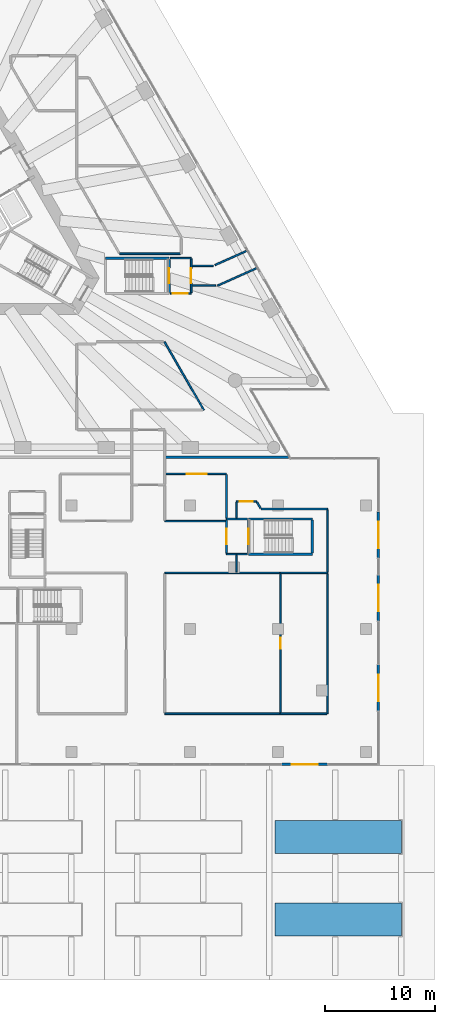
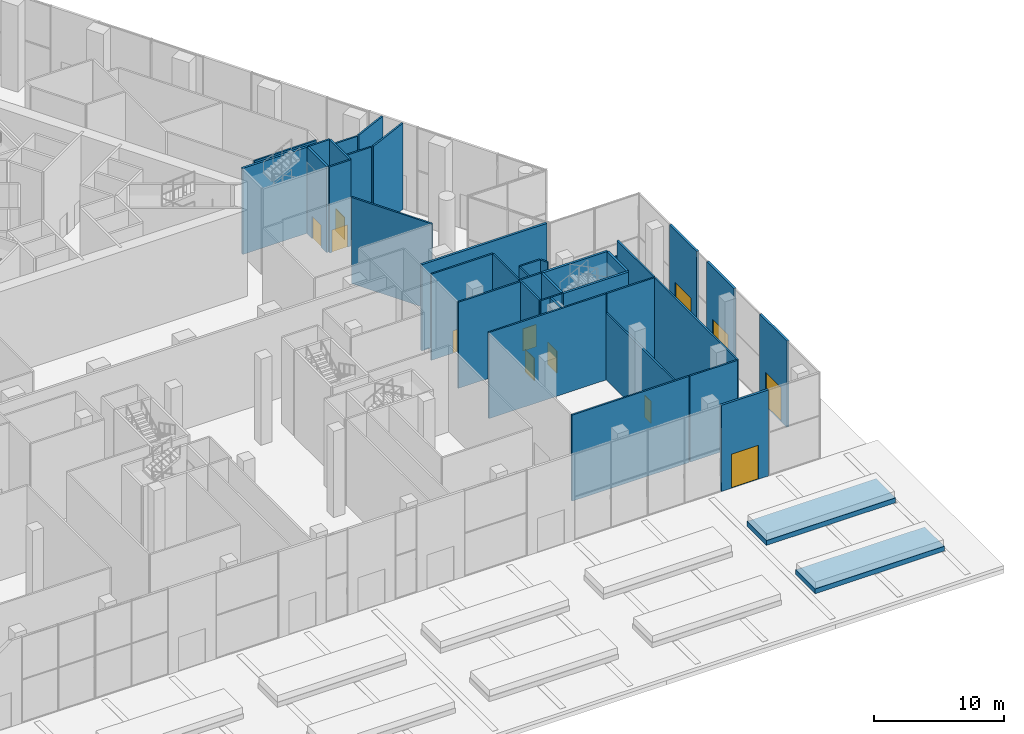
# One storey, part 24 of 41: 40 walls, 12 doors, 12 openings.
"""IFC4 building model written with IfcOpenShell, lengths in metres."""

from ifc_helpers import new_model, si_unit, direction, frame, frame_2d, origin, place, context, subcontext, project, spatial, rectangle, extrude, material, layer, layer_set, layer_usage, type_object, element, fill, save


model = new_model("IFC4")

# Units and contexts
model_context = context("Model", 3, precision=1e-05, world=origin(), true_north=direction((0.0, 1.0)))
body_context = subcontext(model_context, "Body", "Model", "MODEL_VIEW")
ifc_project = project(units=[si_unit("LENGTHUNIT", "METRE"), si_unit("AREAUNIT", "SQUARE_METRE"), si_unit("VOLUMEUNIT", "CUBIC_METRE"), si_unit("PLANEANGLEUNIT", "RADIAN"), si_unit("MASSUNIT", "GRAM", prefix="KILO")], contexts=[model_context])

# Site, building, storey
site_placement = place(None, origin())
site = spatial("IfcSite", under=ifc_project, at=site_placement, CompositionType="ELEMENT")
building_placement = place(site_placement, origin())
building = spatial("IfcBuilding", under=site, at=building_placement, Name="Triada Interchange Tower", CompositionType="ELEMENT")
storey_placement = place(building_placement, origin())
storey = spatial("IfcBuildingStorey", under=building, at=storey_placement, Name="L00", CompositionType="ELEMENT", Elevation=0.0)

# Walls
ifc_material_1 = material(Name="Concrete C30/37", Category="concrete")
ifc_layer_1 = layer(ifc_material_1, 0.199951171875)
ifc_layer_set_1 = layer_set([ifc_layer_1], Name="COMPARTMENT WALL 200 EI 180")
wall_type_1 = type_object("IfcWallType", Name="COMPARTMENT WALL 200 EI 180", PredefinedType="SOLIDWALL", material=ifc_layer_set_1)
wall_1_placement = place(storey_placement, frame((20.574951171875, -22.5, 0.0), z_axis=(0.0, 0.0, 1.0), x_axis=(1.0, 0.0, 0.0)))
element("IfcWall", 1, at=wall_1_placement, inside=storey, type_object=wall_type_1, Name="Compartment wall L00 79", PredefinedType="SOLIDWALL", context=body_context, shape_type="SweptSolid", body=[
    extrude(rectangle(XDim=11.150146484375, YDim=0.199951171875, at=frame_2d((5.5751953125, 0.0))), origin(), (0.0, 0.0, 1.0), 8.10009765625),
])
ifc_layer_2 = layer(ifc_material_1, 0.199951171875)
ifc_layer_set_2 = layer_set([ifc_layer_2], Name="CORE WALL 200 REI 240")
wall_type_2 = type_object("IfcWallType", Name="CORE WALL 200 REI 240", PredefinedType="SOLIDWALL", material=ifc_layer_set_2)
for number, where, z_axis, x_axis, name in (
    (2, (28.10009765625, -31.300048828125, 0.0), (0.0, 0.0, 1.0), (1.0, 0.0, 0.0), "Wall L00 194"),
    (3, (28.10009765625, -28.10009765625, 0.0), (0.0, 0.0, 1.0), (1.0, 0.0, 0.0), "Wall L00 197"),
    (4, (15.10009765625, -4.39990234375, 0.0), (0.0, 0.0, 1.0), (1.0, 0.0, 0.0), "Wall L00 201"),
):
    element("IfcWall", number, at=place(storey_placement, frame(where, z_axis=z_axis, x_axis=x_axis)), inside=storey, type_object=wall_type_2, Name=name, PredefinedType="SOLIDWALL", context=body_context, shape_type="SweptSolid", body=[
        extrude(rectangle(XDim=5.7998046875, YDim=0.199951171875, at=frame_2d((2.89990234375, 0.0))), origin(), (0.0, 0.0, 1.0), 8.10009765625),
    ])

# Wall, opening, door
wall_2_placement = place(storey_placement, frame((20.89990234375, -7.5, 0.0), z_axis=(0.0, 0.0, 1.0), x_axis=(0.0, 1.0, 0.0)))
wall_2 = element("IfcWall", 5, at=wall_2_placement, inside=storey, type_object=wall_type_2, Name="Wall L00 221", PredefinedType="SOLIDWALL", context=body_context, shape_type="SweptSolid", body=[
    extrude(rectangle(XDim=3.0, YDim=0.199951171875, at=frame_2d((1.5, 0.0))), origin(), (0.0, 0.0, 1.0), 8.10009765625),
])
opening_1_placement = place(wall_2_placement, frame((0.800048828125, 0.0, 0.0)))
opening_1 = element("IfcOpeningElement", 6, at=opening_1_placement, cuts=wall_2, Name="Opening D00-23", PredefinedType="OPENING", context=body_context, shape_type="SweptSolid", body=[
    extrude(rectangle(XDim=1.39990234375, YDim=2.10009765625, at=frame_2d((0.699951171875, 1.050048828125))), frame((0.0, 0.10986328125, 0.0), z_axis=(0.0, -1.0, 0.0), x_axis=(1.0, 0.0, 0.0)), (0.0, 0.0, 1.0), 0.219970703125),
])
ifc_material_2 = material(Name="Steel S235 door leaf", Category="steel")
door_type_1 = type_object("IfcDoorType", Name="STAIR DOOR 1400 EI2 90-C5S200", OperationType="DOUBLE_DOOR_SINGLE_SWING", PredefinedType="DOOR", material=ifc_material_2)
door_1_placement = place(opening_1_placement, origin())
door_1 = element("IfcDoor", 7, at=door_1_placement, inside=storey, type_object=door_type_1, Name="Door D00-23 L00", OperationType="DOUBLE_DOOR_SINGLE_SWING", OverallHeight=2.10009765625, OverallWidth=1.39990234375, PredefinedType="DOOR", context=body_context, shape_type="SweptSolid", body=[
    extrude(rectangle(XDim=1.39990234375, YDim=2.10009765625, at=frame_2d((0.699951171875, 1.050048828125))), frame((0.0, 0.02490234375, 0.0), z_axis=(0.0, -1.0, 0.0), x_axis=(1.0, 0.0, 0.0)), (0.0, 0.0, 1.0), 0.050048828125),
])
fill(opening_1, door_1)

wall_3_placement = place(storey_placement, frame((28.10009765625, -31.199951171875, 0.0), z_axis=(0.0, 0.0, 1.0), x_axis=(0.0, 1.0, 0.0)))
wall_3 = element("IfcWall", 8, at=wall_3_placement, inside=storey, type_object=wall_type_2, Name="Wall L00 223", PredefinedType="SOLIDWALL", context=body_context, shape_type="SweptSolid", body=[
    extrude(rectangle(XDim=3.0, YDim=0.199951171875, at=frame_2d((1.5, 0.0))), origin(), (0.0, 0.0, 1.0), 8.10009765625),
])
opening_2_placement = place(wall_3_placement, frame((0.800048828125, 0.0, 0.0)))
opening_2 = element("IfcOpeningElement", 9, at=opening_2_placement, cuts=wall_3, Name="Opening D00-27", PredefinedType="OPENING", context=body_context, shape_type="SweptSolid", body=[
    extrude(rectangle(XDim=1.39990234375, YDim=2.10009765625, at=frame_2d((0.699951171875, 1.050048828125))), frame((0.0, 0.10986328125, 0.0), z_axis=(0.0, -1.0, 0.0), x_axis=(1.0, 0.0, 0.0)), (0.0, 0.0, 1.0), 0.219970703125),
])
door_2_placement = place(opening_2_placement, origin())
door_2 = element("IfcDoor", 10, at=door_2_placement, inside=storey, type_object=door_type_1, Name="Door D00-27 L00", OperationType="DOUBLE_DOOR_SINGLE_SWING", OverallHeight=2.10009765625, OverallWidth=1.39990234375, PredefinedType="DOOR", context=body_context, shape_type="SweptSolid", body=[
    extrude(rectangle(XDim=1.39990234375, YDim=2.10009765625, at=frame_2d((0.699951171875, 1.050048828125))), frame((0.0, 0.02490234375, 0.0), z_axis=(0.0, -1.0, 0.0), x_axis=(1.0, 0.0, 0.0)), (0.0, 0.0, 1.0), 0.050048828125),
])
fill(opening_2, door_2)

# Wall
wall_4_placement = place(storey_placement, frame((33.89990234375, -31.199951171875, 0.0), z_axis=(0.0, 0.0, 1.0), x_axis=(0.0, 1.0, 0.0)))
element("IfcWall", 11, at=wall_4_placement, inside=storey, type_object=wall_type_2, Name="Wall L00 224", PredefinedType="SOLIDWALL", context=body_context, shape_type="SweptSolid", body=[
    extrude(rectangle(XDim=3.0, YDim=0.199951171875, at=frame_2d((1.5, 0.0))), origin(), (0.0, 0.0, 1.0), 8.10009765625),
])

# Wall, opening, door
ifc_material_3 = material(Name="Cement board")
ifc_layer_3 = layer(ifc_material_3, 0.02001953125, Name="Cement board cladding")
ifc_material_4 = material(Name="Sheathing board")
ifc_layer_4 = layer(ifc_material_4, 0.014892578125, Name="Sheathing board")
ifc_material_5 = material(Name="Mineral wool")
ifc_layer_5 = layer(ifc_material_5, 0.14990234375, Name="Mineral wool between steel studs")
ifc_material_6 = material(Name="Gypsum board")
ifc_layer_6 = layer(ifc_material_6, 0.014892578125, Name="Plasterboard lining")
ifc_layer_set_3 = layer_set([ifc_layer_3, ifc_layer_4, ifc_layer_5, ifc_layer_6], Name="External wall 200")
ifc_layer_usage = layer_usage(ifc_layer_set_3, "AXIS2", "POSITIVE", -0.10009765625)
wall_type_3 = type_object("IfcWallType", Name="External wall 200", PredefinedType="ELEMENTEDWALL", material=ifc_layer_set_3)
wall_5_placement = place(storey_placement, frame((31.1201171875, -50.39990234375, 0.0), z_axis=(0.0, 0.0, 1.0), x_axis=(1.0, 0.0, 0.0)))
wall_5 = element("IfcWall", 12, at=wall_5_placement, inside=storey, type_object=wall_type_3, material=ifc_layer_usage, Name="External wall L00 00.13", PredefinedType="ELEMENTEDWALL", context=body_context, shape_type="SweptSolid", body=[
    extrude(rectangle(XDim=4.199951171875, YDim=0.199951171875, at=frame_2d((2.10009765625, 0.0))), origin(), (0.0, 0.0, 1.0), 8.10009765625),
])
opening_3_placement = place(wall_5_placement, frame((0.89990234375, 0.0, 0.0)))
opening_3 = element("IfcOpeningElement", 13, at=opening_3_placement, cuts=wall_5, Name="Opening DX07", PredefinedType="OPENING", context=body_context, shape_type="SweptSolid", body=[
    extrude(rectangle(XDim=2.39990234375, YDim=3.199951171875, at=frame_2d((1.199951171875, 1.60009765625))), frame((0.0, 0.10986328125, 0.0), z_axis=(0.0, -1.0, 0.0), x_axis=(1.0, 0.0, 0.0)), (0.0, 0.0, 1.0), 0.219970703125),
])
ifc_material_7 = material(Name="Aluminium and glass", Category="aluminium")
door_type_2 = type_object("IfcDoorType", Name="Entrance door double", OperationType="DOUBLE_DOOR_SINGLE_SWING", PredefinedType="DOOR", material=ifc_material_7)
door_3_placement = place(opening_3_placement, frame((2.39990234375, 0.0, 0.0), z_axis=(0.0, 0.0, 1.0), x_axis=(-1.0, 0.0, 0.0)))
door_3 = element("IfcDoor", 14, at=door_3_placement, inside=storey, type_object=door_type_2, Name="Door DX07 L00", OperationType="DOUBLE_DOOR_SINGLE_SWING", OverallHeight=3.199951171875, OverallWidth=2.39990234375, PredefinedType="DOOR", context=body_context, shape_type="SweptSolid", body=[
    extrude(rectangle(XDim=2.39990234375, YDim=3.199951171875, at=frame_2d((1.199951171875, 1.60009765625))), frame((0.0, 0.02490234375, 0.0), z_axis=(0.0, -1.0, 0.0), x_axis=(1.0, 0.0, 0.0)), (0.0, 0.0, 1.0), 0.050048828125),
])
fill(opening_3, door_3)

wall_6_placement = place(storey_placement, frame((39.89990234375, -45.550048828125, 0.0), z_axis=(0.0, 0.0, 1.0), x_axis=(0.0, 1.0, 0.0)))
wall_6 = element("IfcWall", 15, at=wall_6_placement, inside=storey, type_object=wall_type_3, material=ifc_layer_usage, Name="External wall L00 01.1", PredefinedType="ELEMENTEDWALL", context=body_context, shape_type="SweptSolid", body=[
    extrude(rectangle(XDim=4.199951171875, YDim=0.199951171875, at=frame_2d((2.10009765625, 0.0))), origin(), (0.0, 0.0, 1.0), 8.10009765625),
])
opening_4_placement = place(wall_6_placement, frame((0.89990234375, 0.0, 0.0)))
opening_4 = element("IfcOpeningElement", 16, at=opening_4_placement, cuts=wall_6, Name="Opening DX08", PredefinedType="OPENING", context=body_context, shape_type="SweptSolid", body=[
    extrude(rectangle(XDim=2.39990234375, YDim=3.199951171875, at=frame_2d((1.199951171875, 1.60009765625))), frame((0.0, 0.10986328125, 0.0), z_axis=(0.0, -1.0, 0.0), x_axis=(1.0, 0.0, 0.0)), (0.0, 0.0, 1.0), 0.219970703125),
])
door_4_placement = place(opening_4_placement, frame((2.39990234375, 0.0, 0.0), z_axis=(0.0, 0.0, 1.0), x_axis=(-1.0, 0.0, 0.0)))
door_4 = element("IfcDoor", 17, at=door_4_placement, inside=storey, type_object=door_type_2, Name="Door DX08 L00", OperationType="DOUBLE_DOOR_SINGLE_SWING", OverallHeight=3.199951171875, OverallWidth=2.39990234375, PredefinedType="DOOR", context=body_context, shape_type="SweptSolid", body=[
    extrude(rectangle(XDim=2.39990234375, YDim=3.199951171875, at=frame_2d((1.199951171875, 1.60009765625))), frame((0.0, 0.02490234375, 0.0), z_axis=(0.0, -1.0, 0.0), x_axis=(1.0, 0.0, 0.0)), (0.0, 0.0, 1.0), 0.050048828125),
])
fill(opening_4, door_4)

wall_7_placement = place(storey_placement, frame((39.89990234375, -37.39990234375, 0.0), z_axis=(0.0, 0.0, 1.0), x_axis=(0.0, 1.0, 0.0)))
wall_7 = element("IfcWall", 18, at=wall_7_placement, inside=storey, type_object=wall_type_3, material=ifc_layer_usage, Name="External wall L00 01.3", PredefinedType="ELEMENTEDWALL", context=body_context, shape_type="SweptSolid", body=[
    extrude(rectangle(XDim=4.199951171875, YDim=0.199951171875, at=frame_2d((2.10009765625, 0.0))), origin(), (0.0, 0.0, 1.0), 8.10009765625),
])
opening_5_placement = place(wall_7_placement, frame((0.89990234375, 0.0, 0.0)))
opening_5 = element("IfcOpeningElement", 19, at=opening_5_placement, cuts=wall_7, Name="Opening DX22", PredefinedType="OPENING", context=body_context, shape_type="SweptSolid", body=[
    extrude(rectangle(XDim=2.39990234375, YDim=3.199951171875, at=frame_2d((1.199951171875, 1.60009765625))), frame((0.0, 0.10986328125, 0.0), z_axis=(0.0, -1.0, 0.0), x_axis=(1.0, 0.0, 0.0)), (0.0, 0.0, 1.0), 0.219970703125),
])
door_5_placement = place(opening_5_placement, frame((2.39990234375, 0.0, 0.0), z_axis=(0.0, 0.0, 1.0), x_axis=(-1.0, 0.0, 0.0)))
door_5 = element("IfcDoor", 20, at=door_5_placement, inside=storey, type_object=door_type_2, Name="Door DX22 L00", OperationType="DOUBLE_DOOR_SINGLE_SWING", OverallHeight=3.199951171875, OverallWidth=2.39990234375, PredefinedType="DOOR", context=body_context, shape_type="SweptSolid", body=[
    extrude(rectangle(XDim=2.39990234375, YDim=3.199951171875, at=frame_2d((1.199951171875, 1.60009765625))), frame((0.0, 0.02490234375, 0.0), z_axis=(0.0, -1.0, 0.0), x_axis=(1.0, 0.0, 0.0)), (0.0, 0.0, 1.0), 0.050048828125),
])
fill(opening_5, door_5)

wall_8_placement = place(storey_placement, frame((39.89990234375, -31.64990234375, 0.0), z_axis=(0.0, 0.0, 1.0), x_axis=(0.0, 1.0, 0.0)))
wall_8 = element("IfcWall", 21, at=wall_8_placement, inside=storey, type_object=wall_type_3, material=ifc_layer_usage, Name="External wall L00 01.5", PredefinedType="ELEMENTEDWALL", context=body_context, shape_type="SweptSolid", body=[
    extrude(rectangle(XDim=4.199951171875, YDim=0.199951171875, at=frame_2d((2.10009765625, 0.0))), origin(), (0.0, 0.0, 1.0), 8.10009765625),
])
opening_6_placement = place(wall_8_placement, frame((0.89990234375, 0.0, 0.0)))
opening_6 = element("IfcOpeningElement", 22, at=opening_6_placement, cuts=wall_8, Name="Opening DX09", PredefinedType="OPENING", context=body_context, shape_type="SweptSolid", body=[
    extrude(rectangle(XDim=2.39990234375, YDim=3.199951171875, at=frame_2d((1.199951171875, 1.60009765625))), frame((0.0, 0.10986328125, 0.0), z_axis=(0.0, -1.0, 0.0), x_axis=(1.0, 0.0, 0.0)), (0.0, 0.0, 1.0), 0.219970703125),
])
door_6_placement = place(opening_6_placement, frame((2.39990234375, 0.0, 0.0), z_axis=(0.0, 0.0, 1.0), x_axis=(-1.0, 0.0, 0.0)))
door_6 = element("IfcDoor", 23, at=door_6_placement, inside=storey, type_object=door_type_2, Name="Door DX09 L00", OperationType="DOUBLE_DOOR_SINGLE_SWING", OverallHeight=3.199951171875, OverallWidth=2.39990234375, PredefinedType="DOOR", context=body_context, shape_type="SweptSolid", body=[
    extrude(rectangle(XDim=2.39990234375, YDim=3.199951171875, at=frame_2d((1.199951171875, 1.60009765625))), frame((0.0, 0.02490234375, 0.0), z_axis=(0.0, -1.0, 0.0), x_axis=(1.0, 0.0, 0.0)), (0.0, 0.0, 1.0), 0.050048828125),
])
fill(opening_6, door_6)

# Walls
ifc_material_8 = material(Name="Gypsum board partition")
ifc_layer_7 = layer(ifc_material_8, 0.14990234375)
ifc_layer_set_4 = layer_set([ifc_layer_7], Name="PARTITION 150 EI 180")
wall_type_4 = type_object("IfcWallType", Name="PARTITION 150 EI 180", PredefinedType="PARTITIONING", material=ifc_layer_set_4)
for number, where, z_axis, x_axis, name in (
    (24, (26.10009765625, -28.10009765625, 0.0), (0.0, 0.0, 1.0), (1.0, 0.0, 0.0), "Wall L00 5"),
    (25, (26.10009765625, -31.300048828125, 0.0), (0.0, 0.0, 1.0), (1.0, 0.0, 0.0), "Wall L00 8"),
):
    element("IfcWall", number, at=place(storey_placement, frame(where, z_axis=z_axis, x_axis=x_axis)), inside=storey, type_object=wall_type_4, Name=name, PredefinedType="PARTITIONING", context=body_context, shape_type="SweptSolid", body=[
        extrude(rectangle(XDim=1.89990234375, YDim=0.14990234375, at=frame_2d((0.949951171875, 0.0))), origin(), (0.0, 0.0, 1.0), 8.10009765625),
    ])

# Wall, opening, door
wall_9_placement = place(storey_placement, frame((21.0, -7.60009765625, 0.0), z_axis=(0.0, 0.0, 1.0), x_axis=(1.0, 0.0, 0.0)))
wall_9 = element("IfcWall", 26, at=wall_9_placement, inside=storey, type_object=wall_type_4, Name="Wall L00 11", PredefinedType="PARTITIONING", context=body_context, shape_type="SweptSolid", body=[
    extrude(rectangle(XDim=1.89990234375, YDim=0.14990234375, at=frame_2d((0.949951171875, 0.0))), origin(), (0.0, 0.0, 1.0), 8.10009765625),
])
opening_7_placement = place(wall_9_placement, frame((0.199951171875, 0.0, 0.0)))
opening_7 = element("IfcOpeningElement", 27, at=opening_7_placement, cuts=wall_9, Name="Opening D00-24", PredefinedType="OPENING", context=body_context, shape_type="SweptSolid", body=[
    extrude(rectangle(XDim=1.39990234375, YDim=2.10009765625, at=frame_2d((0.699951171875, 1.050048828125))), frame((0.0, 0.0849609375, 0.0), z_axis=(0.0, -1.0, 0.0), x_axis=(1.0, 0.0, 0.0)), (0.0, 0.0, 1.0), 0.169921875),
])
door_7_placement = place(opening_7_placement, origin())
door_7 = element("IfcDoor", 28, at=door_7_placement, inside=storey, type_object=door_type_1, Name="Door D00-24 L00", OperationType="DOUBLE_DOOR_SINGLE_SWING", OverallHeight=2.10009765625, OverallWidth=1.39990234375, PredefinedType="DOOR", context=body_context, shape_type="SweptSolid", body=[
    extrude(rectangle(XDim=1.39990234375, YDim=2.10009765625, at=frame_2d((0.699951171875, 1.050048828125))), frame((0.0, 0.02490234375, 0.0), z_axis=(0.0, -1.0, 0.0), x_axis=(1.0, 0.0, 0.0)), (0.0, 0.0, 1.0), 0.050048828125),
])
fill(opening_7, door_7)

# Wall
wall_10_placement = place(storey_placement, frame((21.0, -4.39990234375, 0.0), z_axis=(0.0, 0.0, 1.0), x_axis=(1.0, 0.0, 0.0)))
element("IfcWall", 29, at=wall_10_placement, inside=storey, type_object=wall_type_4, Name="Wall L00 14", PredefinedType="PARTITIONING", context=body_context, shape_type="SweptSolid", body=[
    extrude(rectangle(XDim=1.89990234375, YDim=0.14990234375, at=frame_2d((0.949951171875, 0.0))), origin(), (0.0, 0.0, 1.0), 8.10009765625),
])

# Wall, opening, door
wall_11_placement = place(storey_placement, frame((22.89990234375, -7.52490234375, 0.0), z_axis=(0.0, 0.0, 1.0), x_axis=(0.0, 1.0, 0.0)))
wall_11 = element("IfcWall", 30, at=wall_11_placement, inside=storey, type_object=wall_type_4, Name="Wall L00 39", PredefinedType="PARTITIONING", context=body_context, shape_type="SweptSolid", body=[
    extrude(rectangle(XDim=3.0498046875, YDim=0.14990234375, at=frame_2d((1.52490234375, 0.0))), origin(), (0.0, 0.0, 1.0), 8.10009765625),
])
opening_8_placement = place(wall_11_placement, frame((0.824951171875, 0.0, 0.0)))
opening_8 = element("IfcOpeningElement", 31, at=opening_8_placement, cuts=wall_11, Name="Opening D00-64", PredefinedType="OPENING", context=body_context, shape_type="SweptSolid", body=[
    extrude(rectangle(XDim=1.39990234375, YDim=2.10009765625, at=frame_2d((0.699951171875, 1.050048828125))), frame((0.0, 0.0849609375, 0.0), z_axis=(0.0, -1.0, 0.0), x_axis=(1.0, 0.0, 0.0)), (0.0, 0.0, 1.0), 0.169921875),
])
door_8_placement = place(opening_8_placement, origin())
door_8 = element("IfcDoor", 32, at=door_8_placement, inside=storey, type_object=door_type_1, Name="Door D00-64 L00", OperationType="DOUBLE_DOOR_SINGLE_SWING", OverallHeight=2.10009765625, OverallWidth=1.39990234375, PredefinedType="DOOR", context=body_context, shape_type="SweptSolid", body=[
    extrude(rectangle(XDim=1.39990234375, YDim=2.10009765625, at=frame_2d((0.699951171875, 1.050048828125))), frame((0.0, 0.02490234375, 0.0), z_axis=(0.0, -1.0, 0.0), x_axis=(1.0, 0.0, 0.0)), (0.0, 0.0, 1.0), 0.050048828125),
])
fill(opening_8, door_8)

# Walls
wall_12_placement = place(storey_placement, frame((25.2919921875, -6.89990234375, 0.0), z_axis=(0.0, 0.0, 1.0), x_axis=(0.912623058069, 0.408802096229, 0.0)))
element("IfcWall", 33, at=wall_12_placement, inside=storey, type_object=wall_type_4, Name="Wall L00 40", PredefinedType="PARTITIONING", context=body_context, shape_type="SweptSolid", body=[
    extrude(rectangle(XDim=3.866943359375, YDim=0.14990234375, at=frame_2d((1.93359375, 0.0))), origin(), (0.0, 0.0, 1.0), 8.10009765625),
])
wall_13_placement = place(storey_placement, frame((22.97509765625, -6.89990234375, 0.0), z_axis=(0.0, 0.0, 1.0), x_axis=(1.0, 0.0, 0.0)))
element("IfcWall", 34, at=wall_13_placement, inside=storey, type_object=wall_type_4, Name="Wall L00 41", PredefinedType="PARTITIONING", context=body_context, shape_type="SweptSolid", body=[
    extrude(rectangle(XDim=2.1337890625, YDim=0.14990234375, at=frame_2d((1.06689453125, 0.0))), origin(), (0.0, 0.0, 1.0), 8.10009765625),
])
wall_14_placement = place(storey_placement, frame((22.97509765625, -5.10009765625, 0.0), z_axis=(0.0, 0.0, 1.0), x_axis=(1.0, 0.0, 0.0)))
element("IfcWall", 35, at=wall_14_placement, inside=storey, type_object=wall_type_4, Name="Wall L00 42", PredefinedType="PARTITIONING", context=body_context, shape_type="SweptSolid", body=[
    extrude(rectangle(XDim=1.932861328125, YDim=0.14990234375, at=frame_2d((0.96630859375, 0.0))), origin(), (0.0, 0.0, 1.0), 8.10009765625),
])
wall_15_placement = place(storey_placement, frame((25.074951171875, -5.02490234375, 0.0), z_axis=(0.0, 0.0, 1.0), x_axis=(0.912585012315, 0.408887020212, 0.0)))
element("IfcWall", 36, at=wall_15_placement, inside=storey, type_object=wall_type_4, Name="Wall L00 43", PredefinedType="PARTITIONING", context=body_context, shape_type="SweptSolid", body=[
    extrude(rectangle(XDim=3.11328125, YDim=0.14990234375, at=frame_2d((1.556640625, 0.0))), origin(), (0.0, 0.0, 1.0), 8.10009765625),
])

# Wall, opening, door
wall_16_placement = place(storey_placement, frame((26.10009765625, -31.22509765625, 0.0), z_axis=(0.0, 0.0, 1.0), x_axis=(0.0, 1.0, 0.0)))
wall_16 = element("IfcWall", 37, at=wall_16_placement, inside=storey, type_object=wall_type_4, Name="Wall L00 44", PredefinedType="PARTITIONING", context=body_context, shape_type="SweptSolid", body=[
    extrude(rectangle(XDim=3.050048828125, YDim=0.14990234375, at=frame_2d((1.52490234375, 0.0))), origin(), (0.0, 0.0, 1.0), 8.10009765625),
])
opening_9_placement = place(wall_16_placement, frame((0.824951171875, 0.0, 0.0)))
opening_9 = element("IfcOpeningElement", 38, at=opening_9_placement, cuts=wall_16, Name="Opening D00-28", PredefinedType="OPENING", context=body_context, shape_type="SweptSolid", body=[
    extrude(rectangle(XDim=1.39990234375, YDim=2.10009765625, at=frame_2d((0.699951171875, 1.050048828125))), frame((0.0, 0.0849609375, 0.0), z_axis=(0.0, -1.0, 0.0), x_axis=(1.0, 0.0, 0.0)), (0.0, 0.0, 1.0), 0.169921875),
])
door_9_placement = place(opening_9_placement, origin())
door_9 = element("IfcDoor", 39, at=door_9_placement, inside=storey, type_object=door_type_1, Name="Door D00-28 L00", OperationType="DOUBLE_DOOR_SINGLE_SWING", OverallHeight=2.10009765625, OverallWidth=1.39990234375, PredefinedType="DOOR", context=body_context, shape_type="SweptSolid", body=[
    extrude(rectangle(XDim=1.39990234375, YDim=2.10009765625, at=frame_2d((0.699951171875, 1.050048828125))), frame((0.0, 0.02490234375, 0.0), z_axis=(0.0, -1.0, 0.0), x_axis=(1.0, 0.0, 0.0)), (0.0, 0.0, 1.0), 0.050048828125),
])
fill(opening_9, door_9)

# Walls
wall_17_placement = place(storey_placement, frame((31.0, -33.0, 0.0), z_axis=(0.0, 0.0, 1.0), x_axis=(1.0, 0.0, 0.0)))
element("IfcWall", 40, at=wall_17_placement, inside=storey, type_object=wall_type_4, Name="Wall L00 45", PredefinedType="PARTITIONING", context=body_context, shape_type="SweptSolid", body=[
    extrude(rectangle(XDim=4.300048828125, YDim=0.14990234375, at=frame_2d((2.14990234375, 0.0))), origin(), (0.0, 0.0, 1.0), 8.10009765625),
])
wall_18_placement = place(storey_placement, frame((35.300048828125, -45.800048828125, 0.0), z_axis=(0.0, 0.0, 1.0), x_axis=(0.0, 1.0, 0.0)))
element("IfcWall", 41, at=wall_18_placement, inside=storey, type_object=wall_type_4, Name="Wall L00 46", PredefinedType="PARTITIONING", context=body_context, shape_type="SweptSolid", body=[
    extrude(rectangle(XDim=12.72509765625, YDim=0.14990234375, at=frame_2d((6.362548828125, 0.0))), origin(), (0.0, 0.0, 1.0), 8.10009765625),
])
wall_19_placement = place(storey_placement, frame((31.0, -45.800048828125, 0.0), z_axis=(0.0, 0.0, 1.0), x_axis=(1.0, 0.0, 0.0)))
element("IfcWall", 42, at=wall_19_placement, inside=storey, type_object=wall_type_4, Name="Wall L00 47", PredefinedType="PARTITIONING", context=body_context, shape_type="SweptSolid", body=[
    extrude(rectangle(XDim=4.22509765625, YDim=0.14990234375, at=frame_2d((2.112548828125, 0.0))), origin(), (0.0, 0.0, 1.0), 8.10009765625),
])

# Wall, opening, door
wall_20_placement = place(storey_placement, frame((31.0, -45.72509765625, 0.0), z_axis=(0.0, 0.0, 1.0), x_axis=(0.0, 1.0, 0.0)))
wall_20 = element("IfcWall", 43, at=wall_20_placement, inside=storey, type_object=wall_type_4, Name="Wall L00 48", PredefinedType="PARTITIONING", context=body_context, shape_type="SweptSolid", body=[
    extrude(rectangle(XDim=12.650146484375, YDim=0.14990234375, at=frame_2d((6.3251953125, 0.0))), origin(), (0.0, 0.0, 1.0), 6.300048828125),
])
opening_10_placement = place(wall_20_placement, frame((5.824951171875, 0.0, 0.0)))
opening_10 = element("IfcOpeningElement", 44, at=opening_10_placement, cuts=wall_20, Name="Opening D00-37", PredefinedType="OPENING", context=body_context, shape_type="SweptSolid", body=[
    extrude(rectangle(XDim=1.0, YDim=2.10009765625, at=frame_2d((0.5, 1.050048828125))), frame((0.0, 0.0849609375, 0.0), z_axis=(0.0, -1.0, 0.0), x_axis=(1.0, 0.0, 0.0)), (0.0, 0.0, 1.0), 0.169921875),
])
door_type_3 = type_object("IfcDoorType", Name="ROOM DOOR 1000 EI2 45-C5S200", OperationType="NOTDEFINED", PredefinedType="DOOR", material=ifc_material_2)
door_10_placement = place(opening_10_placement, origin())
door_10 = element("IfcDoor", 45, at=door_10_placement, inside=storey, type_object=door_type_3, Name="Door D00-37 L00", OperationType="SINGLE_SWING_LEFT", OverallHeight=2.10009765625, OverallWidth=1.0, PredefinedType="DOOR", context=body_context, shape_type="SweptSolid", body=[
    extrude(rectangle(XDim=1.0, YDim=2.10009765625, at=frame_2d((0.5, 1.050048828125))), frame((0.0, 0.02490234375, 0.0), z_axis=(0.0, -1.0, 0.0), x_axis=(1.0, 0.0, 0.0)), (0.0, 0.0, 1.0), 0.050048828125),
])
fill(opening_10, door_10)

# Walls
ifc_layer_8 = layer(ifc_material_8, 0.14990234375)
ifc_layer_set_5 = layer_set([ifc_layer_8], Name="PARTITION 150 EI 90")
wall_type_5 = type_object("IfcWallType", Name="PARTITION 150 EI 90", PredefinedType="PARTITIONING", material=ifc_layer_set_5)
wall_21_placement = place(storey_placement, frame((20.5, -33.0, 0.0), z_axis=(0.0, 0.0, 1.0), x_axis=(1.0, 0.0, 0.0)))
element("IfcWall", 46, at=wall_21_placement, inside=storey, type_object=wall_type_5, Name="Wall L00 60", PredefinedType="PARTITIONING", context=body_context, shape_type="SweptSolid", body=[
    extrude(rectangle(XDim=10.425048828125, YDim=0.14990234375, at=frame_2d((5.21240234375, 0.0))), origin(), (0.0, 0.0, 1.0), 8.10009765625),
])
wall_22_placement = place(storey_placement, frame((29.241943359375, -27.199951171875, 0.0), z_axis=(0.0, 0.0, 1.0), x_axis=(1.0, 0.0, 0.0)))
element("IfcWall", 47, at=wall_22_placement, inside=storey, type_object=wall_type_5, Name="Wall L00 63", PredefinedType="PARTITIONING", context=body_context, shape_type="SweptSolid", body=[
    extrude(rectangle(XDim=6.05810546875, YDim=0.14990234375, at=frame_2d((3.029052734375, 0.0))), origin(), (0.0, 0.0, 1.0), 6.60009765625),
])

# Wall, opening, door
wall_23_placement = place(storey_placement, frame((27.0, -26.5, 0.0), z_axis=(0.0, 0.0, 1.0), x_axis=(1.0, 0.0, 0.0)))
wall_23 = element("IfcWall", 48, at=wall_23_placement, inside=storey, type_object=wall_type_5, Name="Wall L00 68", PredefinedType="PARTITIONING", context=body_context, shape_type="SweptSolid", body=[
    extrude(rectangle(XDim=1.837890625, YDim=0.14990234375, at=frame_2d((0.9189453125, 0.0))), origin(), (0.0, 0.0, 1.0), 8.10009765625),
])
opening_11_placement = place(wall_23_placement, frame((0.300048828125, 0.0, 0.0)))
opening_11 = element("IfcOpeningElement", 49, at=opening_11_placement, cuts=wall_23, Name="Opening D00-43", PredefinedType="OPENING", context=body_context, shape_type="SweptSolid", body=[
    extrude(rectangle(XDim=1.199951171875, YDim=2.10009765625, at=frame_2d((0.60009765625, 1.050048828125))), frame((0.0, 0.0849609375, 0.0), z_axis=(0.0, -1.0, 0.0), x_axis=(1.0, 0.0, 0.0)), (0.0, 0.0, 1.0), 0.169921875),
])
door_type_4 = type_object("IfcDoorType", Name="ROOM DOOR 1200 EI2 90-C5S200", OperationType="NOTDEFINED", PredefinedType="DOOR", material=ifc_material_2)
door_11_placement = place(opening_11_placement, origin())
door_11 = element("IfcDoor", 50, at=door_11_placement, inside=storey, type_object=door_type_4, Name="Door D00-43 L00", OperationType="SINGLE_SWING_LEFT", OverallHeight=2.10009765625, OverallWidth=1.199951171875, PredefinedType="DOOR", context=body_context, shape_type="SweptSolid", body=[
    extrude(rectangle(XDim=1.199951171875, YDim=2.10009765625, at=frame_2d((0.60009765625, 1.050048828125))), frame((0.0, 0.02490234375, 0.0), z_axis=(0.0, -1.0, 0.0), x_axis=(1.0, 0.0, 0.0)), (0.0, 0.0, 1.0), 0.050048828125),
])
fill(opening_11, door_11)

# Walls
wall_24_placement = place(storey_placement, frame((20.5, -45.800048828125, 0.0), z_axis=(0.0, 0.0, 1.0), x_axis=(1.0, 0.0, 0.0)))
element("IfcWall", 51, at=wall_24_placement, inside=storey, type_object=wall_type_5, Name="Wall L00 76", PredefinedType="PARTITIONING", context=body_context, shape_type="SweptSolid", body=[
    extrude(rectangle(XDim=10.425048828125, YDim=0.14990234375, at=frame_2d((5.21240234375, 0.0))), origin(), (0.0, 0.0, 1.0), 8.10009765625),
])
wall_25_placement = place(storey_placement, frame((20.5, -28.300048828125, 0.0), z_axis=(0.0, 0.0, 1.0), x_axis=(1.0, 0.0, 0.0)))
element("IfcWall", 52, at=wall_25_placement, inside=storey, type_object=wall_type_5, Name="Wall L00 83", PredefinedType="PARTITIONING", context=body_context, shape_type="SweptSolid", body=[
    extrude(rectangle(XDim=5.52490234375, YDim=0.14990234375, at=frame_2d((2.762451171875, 0.0))), origin(), (0.0, 0.0, 1.0), 8.10009765625),
])

# Wall, opening, door
wall_26_placement = place(storey_placement, frame((20.574951171875, -24.0, 0.0), z_axis=(0.0, 0.0, 1.0), x_axis=(1.0, 0.0, 0.0)))
wall_26 = element("IfcWall", 53, at=wall_26_placement, inside=storey, type_object=wall_type_5, Name="Wall L00 88", PredefinedType="PARTITIONING", context=body_context, shape_type="SweptSolid", body=[
    extrude(rectangle(XDim=5.525146484375, YDim=0.14990234375, at=frame_2d((2.7626953125, 0.0))), origin(), (0.0, 0.0, 1.0), 8.10009765625),
])
opening_12_placement = place(wall_26_placement, frame((1.925048828125, 0.0, 0.0)))
opening_12 = element("IfcOpeningElement", 54, at=opening_12_placement, cuts=wall_26, Name="Opening D00-42", PredefinedType="OPENING", context=body_context, shape_type="SweptSolid", body=[
    extrude(rectangle(XDim=1.800048828125, YDim=2.10009765625, at=frame_2d((0.89990234375, 1.050048828125))), frame((0.0, 0.0849609375, 0.0), z_axis=(0.0, -1.0, 0.0), x_axis=(1.0, 0.0, 0.0)), (0.0, 0.0, 1.0), 0.169921875),
])
door_type_5 = type_object("IfcDoorType", Name="SHOP AND HALL ENTRANCE DOOR 1800 EI2 90-C5S200", OperationType="DOUBLE_DOOR_SINGLE_SWING", PredefinedType="DOOR", material=ifc_material_2)
door_12_placement = place(opening_12_placement, origin())
door_12 = element("IfcDoor", 55, at=door_12_placement, inside=storey, type_object=door_type_5, Name="Door D00-42 L00", OperationType="DOUBLE_DOOR_SINGLE_SWING", OverallHeight=2.10009765625, OverallWidth=1.800048828125, PredefinedType="DOOR", context=body_context, shape_type="SweptSolid", body=[
    extrude(rectangle(XDim=1.800048828125, YDim=2.10009765625, at=frame_2d((0.89990234375, 1.050048828125))), frame((0.0, 0.02490234375, 0.0), z_axis=(0.0, -1.0, 0.0), x_axis=(1.0, 0.0, 0.0)), (0.0, 0.0, 1.0), 0.050048828125),
])
fill(opening_12, door_12)

# Walls
wall_27_placement = place(storey_placement, frame((16.39697265625, -4.0, 0.0), z_axis=(0.0, 0.0, 1.0), x_axis=(1.0, 0.0, 0.0)))
element("IfcWall", 56, at=wall_27_placement, inside=storey, type_object=wall_type_5, Name="Wall L00 105", PredefinedType="PARTITIONING", context=body_context, shape_type="SweptSolid", body=[
    extrude(rectangle(XDim=5.528076171875, YDim=0.14990234375, at=frame_2d((2.76416015625, 0.0))), origin(), (0.0, 0.0, 1.0), 8.10009765625),
])
wall_28_placement = place(storey_placement, frame((26.10009765625, -28.027099609375, 0.0), z_axis=(0.0, 0.0, 1.0), x_axis=(0.0, 1.0, 0.0)))
element("IfcWall", 57, at=wall_28_placement, inside=storey, type_object=wall_type_5, Name="Wall L00 119", PredefinedType="PARTITIONING", context=body_context, shape_type="SweptSolid", body=[
    extrude(rectangle(XDim=3.9521484375, YDim=0.14990234375, at=frame_2d((1.97607421875, 0.0))), origin(), (0.0, 0.0, 1.0), 8.10009765625),
])
wall_29_placement = place(storey_placement, frame((27.0, -32.925048828125, 0.0), z_axis=(0.0, 0.0, 1.0), x_axis=(0.0, 1.0, 0.0)))
element("IfcWall", 58, at=wall_29_placement, inside=storey, type_object=wall_type_5, Name="Wall L00 120", PredefinedType="PARTITIONING", context=body_context, shape_type="SweptSolid", body=[
    extrude(rectangle(XDim=1.550048828125, YDim=0.14990234375, at=frame_2d((0.77490234375, 0.0))), origin(), (0.0, 0.0, 1.0), 8.10009765625),
])
wall_30_placement = place(storey_placement, frame((27.0, -28.02490234375, 0.0), z_axis=(0.0, 0.0, 1.0), x_axis=(0.0, 1.0, 0.0)))
element("IfcWall", 59, at=wall_30_placement, inside=storey, type_object=wall_type_5, Name="Wall L00 121", PredefinedType="PARTITIONING", context=body_context, shape_type="SweptSolid", body=[
    extrude(rectangle(XDim=1.449951171875, YDim=0.14990234375, at=frame_2d((0.72509765625, 0.0))), origin(), (0.0, 0.0, 1.0), 8.10009765625),
])
wall_31_placement = place(storey_placement, frame((20.468017578125, -12.0, 0.0), z_axis=(0.0, 0.0, 1.0), x_axis=(0.499953701917, -0.866052132345, 0.0)))
element("IfcWall", 60, at=wall_31_placement, inside=storey, type_object=wall_type_5, Name="Wall L00 123", PredefinedType="PARTITIONING", context=body_context, shape_type="SweptSolid", body=[
    extrude(rectangle(XDim=7.158935546875, YDim=0.14990234375, at=frame_2d((3.57958984375, 0.0))), origin(), (0.0, 0.0, 1.0), 8.10009765625),
])
wall_32_placement = place(storey_placement, frame((28.881103515625, -26.574951171875, 0.0), z_axis=(0.0, 0.0, 1.0), x_axis=(0.500354426808, -0.865820678647, 0.0)))
element("IfcWall", 61, at=wall_32_placement, inside=storey, type_object=wall_type_5, Name="Wall L00 124", PredefinedType="PARTITIONING", context=body_context, shape_type="SweptSolid", body=[
    extrude(rectangle(XDim=0.63525390625, YDim=0.14990234375, at=frame_2d((0.317626953125, 0.0))), origin(), (0.0, 0.0, 1.0), 8.10009765625),
])
wall_33_placement = place(storey_placement, frame((35.300048828125, -32.925048828125, 0.0), z_axis=(0.0, 0.0, 1.0), x_axis=(0.0, 1.0, 0.0)))
element("IfcWall", 62, at=wall_33_placement, inside=storey, type_object=wall_type_5, Name="Wall L00 125", PredefinedType="PARTITIONING", context=body_context, shape_type="SweptSolid", body=[
    extrude(rectangle(XDim=5.650146484375, YDim=0.14990234375, at=frame_2d((2.8251953125, 0.0))), origin(), (0.0, 0.0, 1.0), 8.10009765625),
])
ifc_layer_9 = layer(ifc_material_1, 3.0)
ifc_layer_set_6 = layer_set([ifc_layer_9], Name="Planter bed plaza 450")
wall_type_6 = type_object("IfcWallType", Name="Planter bed plaza 450", PredefinedType="STANDARD", material=ifc_layer_set_6)
for number, where, z_axis, x_axis, name in (
    (63, (30.5, -57.0, 0.0), (0.0, 0.0, 1.0), (1.0, 0.0, 0.0), "PLANTER plaza 06"),
    (64, (30.5, -64.5, 0.0), (0.0, 0.0, 1.0), (1.0, 0.0, 0.0), "PLANTER plaza 12"),
):
    element("IfcWall", number, at=place(storey_placement, frame(where, z_axis=z_axis, x_axis=x_axis)), inside=storey, type_object=wall_type_6, Name=name, PredefinedType="STANDARD", context=body_context, shape_type="SweptSolid", body=[
        extrude(rectangle(XDim=11.5, YDim=3.0, at=frame_2d((5.75, 0.0))), origin(), (0.0, 0.0, 1.0), 0.449951171875),
    ])

save(model, "model.ifc")
